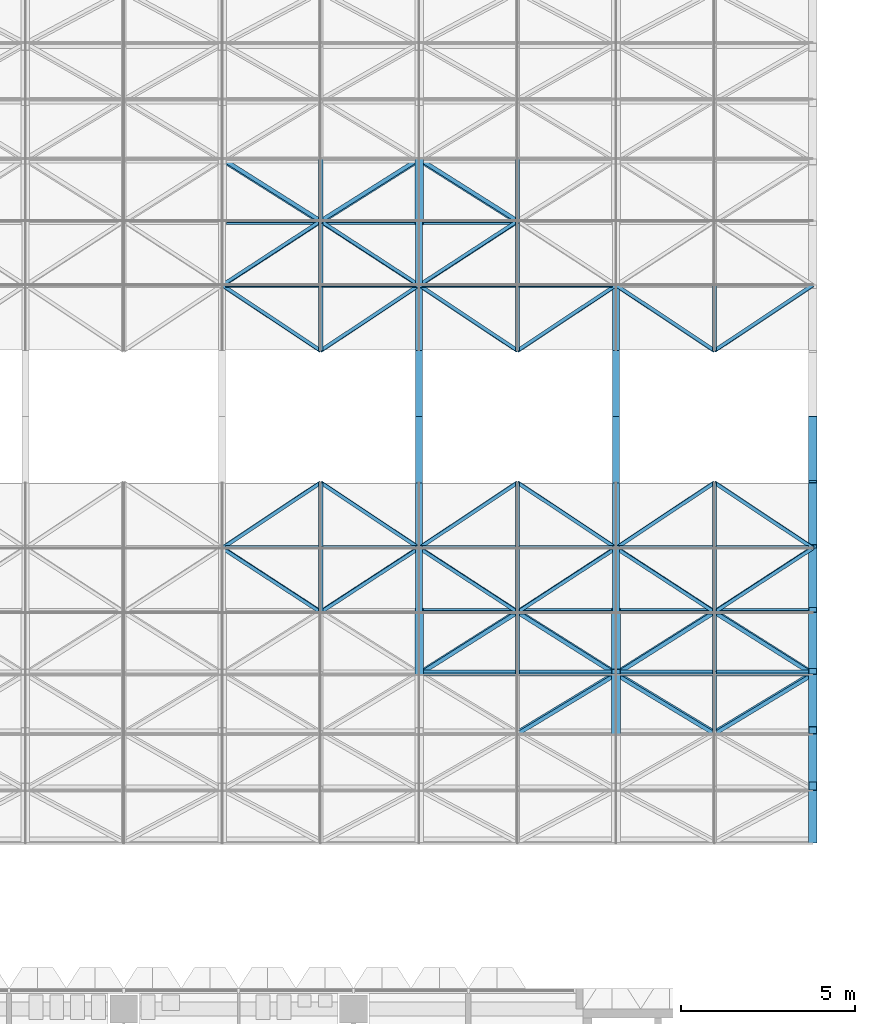
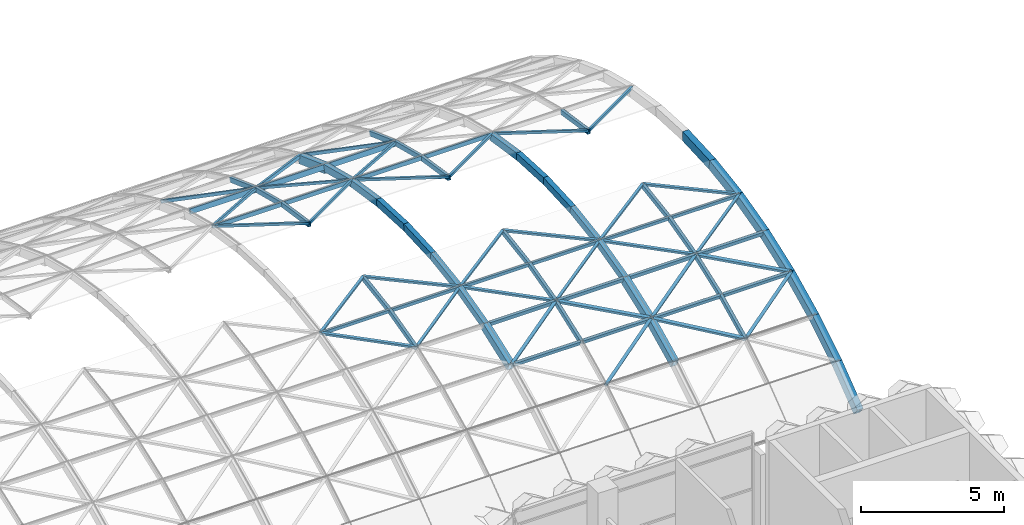
# One storey, part 16 of 85: 90 members.
"""IFC4 building model written with IfcOpenShell, lengths in metres."""

from ifc_helpers import new_model, si_unit, direction, frame, origin, origin_2d, place, context, subcontext, project, spatial, hollow_rectangle, extrude, material, material_profile, profile_set, type_object, element, save


model = new_model("IFC4")

# Units and contexts
model_context = context("Model", 3, precision=1e-05, world=origin(), true_north=direction((0.0, 1.0)))
body_context = subcontext(model_context, "Body", "Model", "MODEL_VIEW")
ifc_project = project(units=[si_unit("LENGTHUNIT", "METRE"), si_unit("AREAUNIT", "SQUARE_METRE"), si_unit("VOLUMEUNIT", "CUBIC_METRE"), si_unit("PLANEANGLEUNIT", "RADIAN"), si_unit("MASSUNIT", "GRAM", prefix="KILO")], contexts=[model_context])

# Site, building, storey
site_placement = place(None, origin())
site = spatial("IfcSite", under=ifc_project, at=site_placement, CompositionType="ELEMENT")
building_placement = place(site_placement, origin())
building = spatial("IfcBuilding", under=site, at=building_placement, Name="Lantern Court Research Institute", CompositionType="ELEMENT")
storey_placement = place(building_placement, frame((0.0, 0.0, 18.89990234375)))
storey = spatial("IfcBuildingStorey", under=building, at=storey_placement, Name="L04", CompositionType="ELEMENT", Elevation=18.89990234375)

# Members
ifc_material_1 = material(Name="Structural steel S355", Category="steel")
ifc_material_profile_1 = material_profile(ifc_material_1, hollow_rectangle(XDim=0.25, YDim=0.39990234375, WallThickness=0.01611328125, at=origin_2d()), Name="Gable arch RHS 400 x 250 x 16")
ifc_profile_set_1 = profile_set([ifc_material_profile_1], Name="Structural steel S355")
member_type_1 = type_object("IfcMemberType", Name="Gable arch RHS 400 x 250 x 16", PredefinedType="RAFTER", material=ifc_profile_set_1)
member_1_placement = place(storey_placement, frame((79.199951171875, 28.000244140625, 0.037109375), z_axis=(0.0, 0.793329505358, 0.608792490039), x_axis=(-1.0, 0.0, 0.0)))
element("IfcMember", 1, at=member_1_placement, inside=storey, type_object=member_type_1, Name="Gable arch", PredefinedType="RAFTER", context=body_context, shape_type="SweptSolid", body=[
    extrude(hollow_rectangle(XDim=0.25, YDim=0.39990234375, WallThickness=0.01611328125, at=origin_2d()), origin(), (0.0, 0.0, 1.0), 1.90234375),
])
member_2_placement = place(storey_placement, frame((79.199951171875, 29.492919921875, 1.183837890625), z_axis=(0.0, 0.850497510265, 0.525979072809), x_axis=(-1.0, 0.0, 0.0)))
element("IfcMember", 2, at=member_2_placement, inside=storey, type_object=member_type_1, Name="Gable arch", PredefinedType="RAFTER", context=body_context, shape_type="SweptSolid", body=[
    extrude(hollow_rectangle(XDim=0.25, YDim=0.39990234375, WallThickness=0.01611328125, at=origin_2d()), origin(), (0.0, 0.0, 1.0), 1.902587890625),
])
member_3_placement = place(storey_placement, frame((79.199951171875, 31.09326171875, 2.1748046875), z_axis=(0.0, 0.899099966644, 0.437743360865), x_axis=(-1.0, 0.0, 0.0)))
element("IfcMember", 3, at=member_3_placement, inside=storey, type_object=member_type_1, Name="Gable arch", PredefinedType="RAFTER", context=body_context, shape_type="SweptSolid", body=[
    extrude(hollow_rectangle(XDim=0.25, YDim=0.39990234375, WallThickness=0.01611328125, at=origin_2d()), origin(), (0.0, 0.0, 1.0), 1.90234375),
])
for number, where, z_axis, x_axis, name in (
    (4, (79.199951171875, 32.78515625, 2.999755859375), (0.0, 0.938535764551, 0.345182008018), (-1.0, 0.0, 0.0), "Gable arch"),
    (5, (79.199951171875, 34.551513671875, 3.650390625), (0.0, 0.968482319701, 0.249082308538), (-1.0, 0.0, 0.0), "Gable arch"),
    (6, (79.199951171875, 36.374267578125, 4.120361328125), (0.0, 0.988606386846, 0.150523791767), (-1.0, 0.0, 0.0), "Gable arch"),
):
    element("IfcMember", number, at=place(storey_placement, frame(where, z_axis=z_axis, x_axis=x_axis)), inside=storey, type_object=member_type_1, Name=name, PredefinedType="RAFTER", context=body_context, shape_type="SweptSolid", body=[
        extrude(hollow_rectangle(XDim=0.25, YDim=0.39990234375, WallThickness=0.01611328125, at=origin_2d()), origin(), (0.0, 0.0, 1.0), 1.902587890625),
    ])
member_4_placement = place(storey_placement, frame((79.199951171875, 38.235107421875, 4.404541015625), z_axis=(0.0, 0.998733707136, 0.050308868311), x_axis=(-1.0, 0.0, 0.0)))
element("IfcMember", 7, at=member_4_placement, inside=storey, type_object=member_type_1, Name="Gable arch", PredefinedType="RAFTER", context=body_context, shape_type="SweptSolid", body=[
    extrude(hollow_rectangle(XDim=0.25, YDim=0.39990234375, WallThickness=0.01611328125, at=origin_2d()), origin(), (0.0, 0.0, 1.0), 1.90234375),
])
ifc_material_2 = material(Name="Structural steel S355", Category="steel")
ifc_material_profile_2 = material_profile(ifc_material_2, hollow_rectangle(XDim=0.080078125, YDim=0.159912109375, WallThickness=0.00634765625, at=origin_2d()), Name="Gridshell crown purlin RHS 160 x 80 x 6.3")
ifc_profile_set_2 = profile_set([ifc_material_profile_2], Name="Structural steel S355")
member_type_2 = type_object("IfcMemberType", Name="Gridshell crown purlin RHS 160 x 80 x 6.3", PredefinedType="PURLIN", material=ifc_profile_set_2)
for number, where, z_axis, x_axis, name in (
    (8, (62.32861328125, 36.360107421875, 4.23974609375), (1.0, 0.0, 0.0), (0.0, 0.979787176632, 0.200042716708), "Gridshell purlin"),
    (9, (65.1171875, 36.360107421875, 4.23974609375), (1.0, 0.0, 0.0), (0.0, 0.979787176632, 0.200042716708), "Gridshell purlin"),
):
    element("IfcMember", number, at=place(storey_placement, frame(where, z_axis=z_axis, x_axis=x_axis)), inside=storey, type_object=member_type_2, Name=name, PredefinedType="PURLIN", context=body_context, shape_type="SweptSolid", body=[
        extrude(hollow_rectangle(XDim=0.080078125, YDim=0.159912109375, WallThickness=0.00634765625, at=origin_2d()), origin(), (0.0, 0.0, 1.0), 2.66845703125),
    ])
for number, where, z_axis, x_axis, name in (
    (10, (67.985595703125, 36.360107421875, 4.23974609375), (1.0, 0.0, 0.0), (0.0, 0.979787176632, 0.200042716708), "Gridshell purlin"),
    (11, (70.774169921875, 36.360107421875, 4.23974609375), (1.0, 0.0, 0.0), (0.0, 0.979787176632, 0.200042716708), "Gridshell purlin"),
    (12, (73.642822265625, 36.360107421875, 4.23974609375), (1.0, 0.0, 0.0), (0.0, 0.979787176632, 0.200042716708), "Gridshell purlin"),
):
    element("IfcMember", number, at=place(storey_placement, frame(where, z_axis=z_axis, x_axis=x_axis)), inside=storey, type_object=member_type_2, Name=name, PredefinedType="PURLIN", context=body_context, shape_type="SweptSolid", body=[
        extrude(hollow_rectangle(XDim=0.080078125, YDim=0.159912109375, WallThickness=0.00634765625, at=origin_2d()), origin(), (0.0, 0.0, 1.0), 2.668701171875),
    ])
member_5_placement = place(storey_placement, frame((76.431396484375, 36.360107421875, 4.23974609375), z_axis=(1.0, 0.0, 0.0), x_axis=(0.0, 0.979787176632, 0.200042716708)))
element("IfcMember", 13, at=member_5_placement, inside=storey, type_object=member_type_2, Name="Gridshell purlin", PredefinedType="PURLIN", context=body_context, shape_type="SweptSolid", body=[
    extrude(hollow_rectangle(XDim=0.080078125, YDim=0.159912109375, WallThickness=0.00634765625, at=origin_2d()), origin(), (0.0, 0.0, 1.0), 2.6435546875),
])
for number, where, z_axis, x_axis, name in (
    (14, (62.32861328125, 43.889892578125, 4.23974609375), (1.0, 0.0, 0.0), (0.0, 0.979787176632, -0.200042716708), "Gridshell purlin"),
    (15, (65.1171875, 43.889892578125, 4.23974609375), (1.0, 0.0, 0.0), (0.0, 0.979787176632, -0.200042716708), "Gridshell purlin"),
):
    element("IfcMember", number, at=place(storey_placement, frame(where, z_axis=z_axis, x_axis=x_axis)), inside=storey, type_object=member_type_2, Name=name, PredefinedType="PURLIN", context=body_context, shape_type="SweptSolid", body=[
        extrude(hollow_rectangle(XDim=0.080078125, YDim=0.159912109375, WallThickness=0.00634765625, at=origin_2d()), origin(), (0.0, 0.0, 1.0), 2.66845703125),
    ])
for number, where, z_axis, x_axis, name in (
    (16, (67.985595703125, 43.889892578125, 4.23974609375), (1.0, 0.0, 0.0), (0.0, 0.979787176632, -0.200042716708), "Gridshell purlin"),
    (17, (70.774169921875, 43.889892578125, 4.23974609375), (1.0, 0.0, 0.0), (0.0, 0.979787176632, -0.200042716708), "Gridshell purlin"),
):
    element("IfcMember", number, at=place(storey_placement, frame(where, z_axis=z_axis, x_axis=x_axis)), inside=storey, type_object=member_type_2, Name=name, PredefinedType="PURLIN", context=body_context, shape_type="SweptSolid", body=[
        extrude(hollow_rectangle(XDim=0.080078125, YDim=0.159912109375, WallThickness=0.00634765625, at=origin_2d()), origin(), (0.0, 0.0, 1.0), 2.668701171875),
    ])
ifc_material_3 = material(Name="Structural steel S355", Category="steel")
ifc_material_profile_3 = material_profile(ifc_material_3, hollow_rectangle(XDim=0.199951171875, YDim=0.300048828125, WallThickness=0.012451171875, at=origin_2d()), Name="Gridshell crown rib RHS 300 x 200 x 12.5")
ifc_profile_set_3 = profile_set([ifc_material_profile_3], Name="Structural steel S355")
member_type_3 = type_object("IfcMemberType", Name="Gridshell crown rib RHS 300 x 200 x 12.5", PredefinedType="RAFTER", material=ifc_profile_set_3)
for number, where, z_axis, x_axis, name in (
    (18, (67.8857421875, 34.5390625, 3.698974609375), (0.0, 0.968482319701, 0.249082308538), (-1.0, 0.0, 0.0), "Gridshell rib"),
    (19, (67.8857421875, 36.36669921875, 4.169677734375), (0.0, 0.988606386846, 0.150523791767), (-1.0, 0.0, 0.0), "Gridshell rib"),
    (20, (67.8857421875, 38.232421875, 4.45458984375), (0.0, 0.998734031897, 0.050302420725), (-1.0, 0.0, 0.0), "Gridshell rib"),
    (21, (67.8857421875, 40.117431640625, 4.55029296875), (0.0, 0.998734031897, -0.050302420725), (-1.0, 0.0, 0.0), "Gridshell rib"),
    (22, (67.8857421875, 42.00244140625, 4.4560546875), (0.0, 0.988606386846, -0.150523791767), (-1.0, 0.0, 0.0), "Gridshell rib"),
    (23, (67.8857421875, 43.868408203125, 4.1728515625), (0.0, 0.968482319701, -0.249082308538), (-1.0, 0.0, 0.0), "Gridshell rib"),
    (24, (73.54296875, 34.5390625, 3.698974609375), (0.0, 0.968482319701, 0.249082308538), (-1.0, 0.0, 0.0), "Gridshell rib"),
    (25, (73.54296875, 36.36669921875, 4.169677734375), (0.0, 0.988606386846, 0.150523791767), (-1.0, 0.0, 0.0), "Gridshell rib"),
    (26, (73.54296875, 38.232421875, 4.45458984375), (0.0, 0.998734031897, 0.050302420725), (-1.0, 0.0, 0.0), "Gridshell rib"),
    (27, (73.54296875, 40.117431640625, 4.55029296875), (0.0, 0.998734031897, -0.050302420725), (-1.0, 0.0, 0.0), "Gridshell rib"),
    (28, (73.54296875, 42.00244140625, 4.4560546875), (0.0, 0.988606386846, -0.150523791767), (-1.0, 0.0, 0.0), "Gridshell rib"),
):
    element("IfcMember", number, at=place(storey_placement, frame(where, z_axis=z_axis, x_axis=x_axis)), inside=storey, type_object=member_type_3, Name=name, PredefinedType="RAFTER", context=body_context, shape_type="SweptSolid", body=[
        extrude(hollow_rectangle(XDim=0.199951171875, YDim=0.300048828125, WallThickness=0.012451171875, at=origin_2d()), origin(), (0.0, 0.0, 1.0), 1.902587890625),
    ])
ifc_material_4 = material(Name="Structural steel S355", Category="steel")
ifc_material_profile_4 = material_profile(ifc_material_4, hollow_rectangle(XDim=0.10009765625, YDim=0.10009765625, WallThickness=0.00634765625, at=origin_2d()), Name="Gridshell diagonal RHS 100 x 100 x 6.3")
ifc_profile_set_4 = profile_set([ifc_material_profile_4], Name="Structural steel S355")
member_type_4 = type_object("IfcMemberType", Name="Gridshell diagonal RHS 100 x 100 x 6.3", PredefinedType="BRACE", material=ifc_profile_set_4)
member_6_placement = place(storey_placement, frame((65.05712890625, 34.51416015625, 3.795654296875), z_axis=(-0.829775619624, 0.540507215717, 0.139012124779), x_axis=(-0.558097142967, -0.803618783295, -0.206698887629)))
element("IfcMember", 29, at=member_6_placement, inside=storey, type_object=member_type_4, Name="Gridshell diagonal", PredefinedType="BRACE", context=body_context, shape_type="SweptSolid", body=[
    extrude(hollow_rectangle(XDim=0.10009765625, YDim=0.10009765625, WallThickness=0.00634765625, at=origin_2d()), origin(), (0.0, 0.0, 1.0), 3.408935546875),
])
for number, where, z_axis, x_axis, name in (
    (30, (62.228515625, 36.351806640625, 4.2685546875), (0.82980233239, 0.551697511341, 0.084011577412), (-0.558057423637, 0.82035435083, 0.124862528398), "Gridshell diagonal"),
    (31, (65.05712890625, 42.017578125, 4.554931640625), (-0.82980233239, 0.551697511341, -0.084011577412), (-0.558057423637, -0.82035435083, 0.124862528398), "Gridshell diagonal"),
):
    element("IfcMember", number, at=place(storey_placement, frame(where, z_axis=z_axis, x_axis=x_axis)), inside=storey, type_object=member_type_4, Name=name, PredefinedType="BRACE", context=body_context, shape_type="SweptSolid", body=[
        extrude(hollow_rectangle(XDim=0.10009765625, YDim=0.10009765625, WallThickness=0.00634765625, at=origin_2d()), origin(), (0.0, 0.0, 1.0), 3.40869140625),
    ])
for number, where, z_axis, x_axis, name in (
    (32, (62.228515625, 43.893310546875, 4.26953125), (0.829775619624, 0.540507215717, -0.139012124779), (-0.558097142967, 0.803618783295, -0.206698887629), "Gridshell diagonal"),
    (33, (65.05712890625, 34.51416015625, 3.795654296875), (0.829775619624, 0.540507215717, 0.139012124779), (-0.558097142967, 0.803618783295, 0.206698887629), "Gridshell diagonal"),
):
    element("IfcMember", number, at=place(storey_placement, frame(where, z_axis=z_axis, x_axis=x_axis)), inside=storey, type_object=member_type_4, Name=name, PredefinedType="BRACE", context=body_context, shape_type="SweptSolid", body=[
        extrude(hollow_rectangle(XDim=0.10009765625, YDim=0.10009765625, WallThickness=0.00634765625, at=origin_2d()), origin(), (0.0, 0.0, 1.0), 3.408935546875),
    ])
for number, where, z_axis, x_axis, name in (
    (34, (67.8857421875, 36.351806640625, 4.2685546875), (-0.82980233239, 0.551697511341, 0.084011577412), (-0.558057423637, -0.82035435083, -0.124862528398), "Gridshell diagonal"),
    (35, (65.05712890625, 42.017578125, 4.554931640625), (0.82980233239, 0.551697511341, -0.084011577412), (-0.558057423637, 0.82035435083, -0.124862528398), "Gridshell diagonal"),
):
    element("IfcMember", number, at=place(storey_placement, frame(where, z_axis=z_axis, x_axis=x_axis)), inside=storey, type_object=member_type_4, Name=name, PredefinedType="BRACE", context=body_context, shape_type="SweptSolid", body=[
        extrude(hollow_rectangle(XDim=0.10009765625, YDim=0.10009765625, WallThickness=0.00634765625, at=origin_2d()), origin(), (0.0, 0.0, 1.0), 3.40869140625),
    ])
for number, where, z_axis, x_axis, name in (
    (36, (67.8857421875, 43.893310546875, 4.26953125), (-0.829775619624, 0.540507215717, -0.139012124779), (-0.558097142967, -0.803618783295, 0.206698887629), "Gridshell diagonal"),
    (37, (70.71435546875, 34.51416015625, 3.795654296875), (-0.829775619624, 0.540507215717, 0.139012124779), (-0.558097142967, -0.803618783295, -0.206698887629), "Gridshell diagonal"),
):
    element("IfcMember", number, at=place(storey_placement, frame(where, z_axis=z_axis, x_axis=x_axis)), inside=storey, type_object=member_type_4, Name=name, PredefinedType="BRACE", context=body_context, shape_type="SweptSolid", body=[
        extrude(hollow_rectangle(XDim=0.10009765625, YDim=0.10009765625, WallThickness=0.00634765625, at=origin_2d()), origin(), (0.0, 0.0, 1.0), 3.408935546875),
    ])
for number, where, z_axis, x_axis, name in (
    (38, (67.8857421875, 36.351806640625, 4.2685546875), (0.82980233239, 0.551697511341, 0.084011577412), (-0.558057423637, 0.82035435083, 0.124862528398), "Gridshell diagonal"),
    (39, (70.71435546875, 42.017578125, 4.554931640625), (-0.82980233239, 0.551697511341, -0.084011577412), (-0.558057423637, -0.82035435083, 0.124862528398), "Gridshell diagonal"),
):
    element("IfcMember", number, at=place(storey_placement, frame(where, z_axis=z_axis, x_axis=x_axis)), inside=storey, type_object=member_type_4, Name=name, PredefinedType="BRACE", context=body_context, shape_type="SweptSolid", body=[
        extrude(hollow_rectangle(XDim=0.10009765625, YDim=0.10009765625, WallThickness=0.00634765625, at=origin_2d()), origin(), (0.0, 0.0, 1.0), 3.40869140625),
    ])
for number, where, z_axis, x_axis, name in (
    (40, (67.8857421875, 43.893310546875, 4.26953125), (0.829775619624, 0.540507215717, -0.139012124779), (-0.558097142967, 0.803618783295, -0.206698887629), "Gridshell diagonal"),
    (41, (70.71435546875, 34.51416015625, 3.795654296875), (0.829775619624, 0.540507215717, 0.139012124779), (-0.558097142967, 0.803618783295, 0.206698887629), "Gridshell diagonal"),
):
    element("IfcMember", number, at=place(storey_placement, frame(where, z_axis=z_axis, x_axis=x_axis)), inside=storey, type_object=member_type_4, Name=name, PredefinedType="BRACE", context=body_context, shape_type="SweptSolid", body=[
        extrude(hollow_rectangle(XDim=0.10009765625, YDim=0.10009765625, WallThickness=0.00634765625, at=origin_2d()), origin(), (0.0, 0.0, 1.0), 3.408935546875),
    ])
for number, where, z_axis, x_axis, name in (
    (42, (73.54296875, 36.351806640625, 4.2685546875), (-0.82980233239, 0.551697511341, 0.084011577412), (-0.558057423637, -0.82035435083, -0.124862528398), "Gridshell diagonal"),
    (43, (70.71435546875, 42.017578125, 4.554931640625), (0.82980233239, 0.551697511341, -0.084011577412), (-0.558057423637, 0.82035435083, -0.124862528398), "Gridshell diagonal"),
    (44, (76.371337890625, 34.51416015625, 3.795654296875), (-0.829753310349, 0.540539338213, 0.139020386309), (-0.558130310777, -0.803595810166, -0.20669864556), "Gridshell diagonal"),
    (45, (73.54296875, 36.351806640625, 4.2685546875), (0.829780025572, 0.551730300991, 0.084016570565), (-0.558090591389, 0.820331795055, 0.124862475647), "Gridshell diagonal"),
    (46, (76.371337890625, 42.017578125, 4.554931640625), (-0.829780025572, 0.551730300991, -0.084016570565), (-0.558090591389, -0.820331795055, 0.124862475647), "Gridshell diagonal"),
):
    element("IfcMember", number, at=place(storey_placement, frame(where, z_axis=z_axis, x_axis=x_axis)), inside=storey, type_object=member_type_4, Name=name, PredefinedType="BRACE", context=body_context, shape_type="SweptSolid", body=[
        extrude(hollow_rectangle(XDim=0.10009765625, YDim=0.10009765625, WallThickness=0.00634765625, at=origin_2d()), origin(), (0.0, 0.0, 1.0), 3.40869140625),
    ])
member_7_placement = place(storey_placement, frame((76.371337890625, 34.51416015625, 3.795654296875), z_axis=(0.829775619624, 0.540507215717, 0.139012124779), x_axis=(-0.558097142967, 0.803618783295, 0.206698887629)))
element("IfcMember", 47, at=member_7_placement, inside=storey, type_object=member_type_4, Name="Gridshell diagonal", PredefinedType="BRACE", context=body_context, shape_type="SweptSolid", body=[
    extrude(hollow_rectangle(XDim=0.10009765625, YDim=0.10009765625, WallThickness=0.00634765625, at=origin_2d()), origin(), (0.0, 0.0, 1.0), 3.408935546875),
])
for number, where, z_axis, x_axis, name in (
    (48, (79.199951171875, 36.351806640625, 4.2685546875), (-0.82980233239, 0.551697511341, 0.084011577412), (-0.558057423637, -0.82035435083, -0.124862528398), "Gridshell diagonal"),
    (49, (76.371337890625, 42.017578125, 4.554931640625), (0.82980233239, 0.551697511341, -0.084011577412), (-0.558057423637, 0.82035435083, -0.124862528398), "Gridshell diagonal"),
):
    element("IfcMember", number, at=place(storey_placement, frame(where, z_axis=z_axis, x_axis=x_axis)), inside=storey, type_object=member_type_4, Name=name, PredefinedType="BRACE", context=body_context, shape_type="SweptSolid", body=[
        extrude(hollow_rectangle(XDim=0.10009765625, YDim=0.10009765625, WallThickness=0.00634765625, at=origin_2d()), origin(), (0.0, 0.0, 1.0), 3.40869140625),
    ])
ifc_material_5 = material(Name="Structural steel S355", Category="steel")
ifc_material_profile_5 = material_profile(ifc_material_5, hollow_rectangle(XDim=0.1201171875, YDim=0.1201171875, WallThickness=0.008056640625, at=origin_2d()), Name="Gridshell haunch diagonal RHS 120 x 120 x 8")
ifc_profile_set_5 = profile_set([ifc_material_profile_5], Name="Structural steel S355")
member_type_5 = type_object("IfcMemberType", Name="Gridshell haunch diagonal RHS 120 x 120 x 8", PredefinedType="BRACE", material=ifc_profile_set_5)
for number, where, z_axis, x_axis, name in (
    (50, (65.05712890625, 45.7275390625, 3.787841796875), (-0.829762838758, 0.523811962945, -0.192651651671), (-0.558116144955, -0.778754373318, 0.286440211525), "Gridshell diagonal"),
    (51, (65.05712890625, 45.7275390625, 3.787841796875), (0.829762838758, 0.523811962945, -0.192651651671), (-0.558116144955, 0.778754373318, -0.286440211525), "Gridshell diagonal"),
    (52, (67.8857421875, 32.73681640625, 3.131103515625), (0.829762838758, 0.523811962945, 0.192651651671), (-0.558116144955, 0.778754373318, 0.286440211525), "Gridshell diagonal"),
    (53, (70.71435546875, 45.7275390625, 3.787841796875), (-0.829762838758, 0.523811962945, -0.192651651671), (-0.558116144955, -0.778754373318, 0.286440211525), "Gridshell diagonal"),
    (54, (70.71435546875, 31.031982421875, 2.300537109375), (0.829773300042, 0.501760032806, 0.244362722229), (-0.558100591295, 0.746025342522, 0.363276641571), "Gridshell diagonal"),
    (55, (73.54296875, 32.73681640625, 3.131103515625), (-0.829762838758, 0.523811962945, 0.192651651671), (-0.558116144955, -0.778754373318, -0.286440211525), "Gridshell diagonal"),
):
    element("IfcMember", number, at=place(storey_placement, frame(where, z_axis=z_axis, x_axis=x_axis)), inside=storey, type_object=member_type_5, Name=name, PredefinedType="BRACE", context=body_context, shape_type="SweptSolid", body=[
        extrude(hollow_rectangle(XDim=0.1201171875, YDim=0.1201171875, WallThickness=0.008056640625, at=origin_2d()), origin(), (0.0, 0.0, 1.0), 3.408935546875),
    ])
for number, where, z_axis, x_axis, name in (
    (56, (76.371337890625, 31.031982421875, 2.300537109375), (-0.829750990554, 0.50178985238, 0.244377244693), (-0.558133759376, -0.746001196046, -0.363275270481), "Gridshell diagonal"),
    (57, (73.54296875, 32.73681640625, 3.131103515625), (0.829740528308, 0.523843092278, 0.19266310066), (-0.558149312823, 0.778730842923, 0.28643955536), "Gridshell diagonal"),
):
    element("IfcMember", number, at=place(storey_placement, frame(where, z_axis=z_axis, x_axis=x_axis)), inside=storey, type_object=member_type_5, Name=name, PredefinedType="BRACE", context=body_context, shape_type="SweptSolid", body=[
        extrude(hollow_rectangle(XDim=0.1201171875, YDim=0.1201171875, WallThickness=0.008056640625, at=origin_2d()), origin(), (0.0, 0.0, 1.0), 3.40869140625),
    ])
for number, where, z_axis, x_axis, name in (
    (58, (76.371337890625, 31.031982421875, 2.300537109375), (0.829773300042, 0.501760032806, 0.244362722229), (-0.558100591295, 0.746025342522, 0.363276641571), "Gridshell diagonal"),
    (59, (79.199951171875, 32.73681640625, 3.131103515625), (-0.829762838758, 0.523811962945, 0.192651651671), (-0.558116144955, -0.778754373318, -0.286440211525), "Gridshell diagonal"),
):
    element("IfcMember", number, at=place(storey_placement, frame(where, z_axis=z_axis, x_axis=x_axis)), inside=storey, type_object=member_type_5, Name=name, PredefinedType="BRACE", context=body_context, shape_type="SweptSolid", body=[
        extrude(hollow_rectangle(XDim=0.1201171875, YDim=0.1201171875, WallThickness=0.008056640625, at=origin_2d()), origin(), (0.0, 0.0, 1.0), 3.408935546875),
    ])
ifc_material_6 = material(Name="Structural steel S355", Category="steel")
ifc_material_profile_6 = material_profile(ifc_material_6, hollow_rectangle(XDim=0.25, YDim=0.35009765625, WallThickness=0.01611328125, at=origin_2d()), Name="Gridshell haunch rib RHS 350 x 250 x 16")
ifc_profile_set_6 = profile_set([ifc_material_profile_6], Name="Structural steel S355")
member_type_6 = type_object("IfcMemberType", Name="Gridshell haunch rib RHS 350 x 250 x 16", PredefinedType="RAFTER", material=ifc_profile_set_6)
for number, where, z_axis, x_axis, name in (
    (60, (67.8857421875, 32.776611328125, 3.023193359375), (0.0, 0.938520472327, 0.345223584105), (-1.0, 0.0, 0.0), "Gridshell rib"),
    (61, (67.8857421875, 45.68798828125, 3.679931640625), (0.0, 0.938520472327, -0.345223584105), (-1.0, 0.0, 0.0), "Gridshell rib"),
    (62, (73.54296875, 31.082275390625, 2.197265625), (0.0, 0.899099966644, 0.437743360865), (-1.0, 0.0, 0.0), "Gridshell rib"),
    (63, (73.54296875, 32.776611328125, 3.023193359375), (0.0, 0.938520472327, 0.345223584105), (-1.0, 0.0, 0.0), "Gridshell rib"),
):
    element("IfcMember", number, at=place(storey_placement, frame(where, z_axis=z_axis, x_axis=x_axis)), inside=storey, type_object=member_type_6, Name=name, PredefinedType="RAFTER", context=body_context, shape_type="SweptSolid", body=[
        extrude(hollow_rectangle(XDim=0.25, YDim=0.35009765625, WallThickness=0.01611328125, at=origin_2d()), origin(), (0.0, 0.0, 1.0), 1.90234375),
    ])
ifc_material_7 = material(Name="Structural steel S355", Category="steel")
ifc_material_profile_7 = material_profile(ifc_material_7, hollow_rectangle(XDim=0.10009765625, YDim=0.199951171875, WallThickness=0.008056640625, at=origin_2d()), Name="Gridshell purlin RHS 200 x 100 x 8")
ifc_profile_set_7 = profile_set([ifc_material_profile_7], Name="Structural steel S355")
member_type_7 = type_object("IfcMemberType", Name="Gridshell purlin RHS 200 x 100 x 8", PredefinedType="PURLIN", material=ifc_profile_set_7)
member_8_placement = place(storey_placement, frame((68.0107421875, 32.75537109375, 3.095458984375), z_axis=(1.0, 0.0, 0.0), x_axis=(0.0, 0.919965822984, 0.391998577219)))
element("IfcMember", 64, at=member_8_placement, inside=storey, type_object=member_type_7, Name="Gridshell purlin", PredefinedType="PURLIN", context=body_context, shape_type="SweptSolid", body=[
    extrude(hollow_rectangle(XDim=0.10009765625, YDim=0.199951171875, WallThickness=0.008056640625, at=origin_2d()), origin(), (0.0, 0.0, 1.0), 2.6435546875),
])
member_9_placement = place(storey_placement, frame((70.774169921875, 32.75537109375, 3.095458984375), z_axis=(1.0, 0.0, 0.0), x_axis=(0.0, 0.919965822984, 0.391998577219)))
element("IfcMember", 65, at=member_9_placement, inside=storey, type_object=member_type_7, Name="Gridshell purlin", PredefinedType="PURLIN", context=body_context, shape_type="SweptSolid", body=[
    extrude(hollow_rectangle(XDim=0.10009765625, YDim=0.199951171875, WallThickness=0.008056640625, at=origin_2d()), origin(), (0.0, 0.0, 1.0), 2.643798828125),
])
for number, where, z_axis, x_axis, name in (
    (66, (73.66796875, 32.75537109375, 3.095458984375), (1.0, 0.0, 0.0), (0.0, 0.919965822984, 0.391998577219), "Gridshell purlin"),
    (67, (76.431396484375, 32.75537109375, 3.095458984375), (1.0, 0.0, 0.0), (0.0, 0.919965822984, 0.391998577219), "Gridshell purlin"),
    (68, (68.0107421875, 34.531494140625, 3.748779296875), (1.0, 0.0, 0.0), (0.0, 0.954713115517, 0.29752792652), "Gridshell purlin"),
):
    element("IfcMember", number, at=place(storey_placement, frame(where, z_axis=z_axis, x_axis=x_axis)), inside=storey, type_object=member_type_7, Name=name, PredefinedType="PURLIN", context=body_context, shape_type="SweptSolid", body=[
        extrude(hollow_rectangle(XDim=0.10009765625, YDim=0.199951171875, WallThickness=0.008056640625, at=origin_2d()), origin(), (0.0, 0.0, 1.0), 2.6435546875),
    ])
member_10_placement = place(storey_placement, frame((70.774169921875, 34.531494140625, 3.748779296875), z_axis=(1.0, 0.0, 0.0), x_axis=(0.0, 0.954713115517, 0.29752792652)))
element("IfcMember", 69, at=member_10_placement, inside=storey, type_object=member_type_7, Name="Gridshell purlin", PredefinedType="PURLIN", context=body_context, shape_type="SweptSolid", body=[
    extrude(hollow_rectangle(XDim=0.10009765625, YDim=0.199951171875, WallThickness=0.008056640625, at=origin_2d()), origin(), (0.0, 0.0, 1.0), 2.643798828125),
])
for number, where, z_axis, x_axis, name in (
    (70, (73.66796875, 34.531494140625, 3.748779296875), (1.0, 0.0, 0.0), (0.0, 0.954713115517, 0.29752792652), "Gridshell purlin"),
    (71, (76.431396484375, 34.531494140625, 3.748779296875), (1.0, 0.0, 0.0), (0.0, 0.954713115517, 0.29752792652), "Gridshell purlin"),
    (72, (62.353515625, 45.718505859375, 3.748779296875), (1.0, 0.0, 0.0), (0.0, 0.954713115517, -0.29752792652), "Gridshell purlin"),
    (73, (65.1171875, 45.718505859375, 3.748779296875), (1.0, 0.0, 0.0), (0.0, 0.954713115517, -0.29752792652), "Gridshell purlin"),
    (74, (68.0107421875, 45.718505859375, 3.748779296875), (1.0, 0.0, 0.0), (0.0, 0.954713115517, -0.29752792652), "Gridshell purlin"),
):
    element("IfcMember", number, at=place(storey_placement, frame(where, z_axis=z_axis, x_axis=x_axis)), inside=storey, type_object=member_type_7, Name=name, PredefinedType="PURLIN", context=body_context, shape_type="SweptSolid", body=[
        extrude(hollow_rectangle(XDim=0.10009765625, YDim=0.199951171875, WallThickness=0.008056640625, at=origin_2d()), origin(), (0.0, 0.0, 1.0), 2.6435546875),
    ])
ifc_material_8 = material(Name="Structural steel S355", Category="steel")
ifc_material_profile_8 = material_profile(ifc_material_8, hollow_rectangle(XDim=0.1201171875, YDim=0.199951171875, WallThickness=0.008056640625, at=origin_2d()), Name="Gridshell secondary rib RHS 200 x 120 x 8")
ifc_profile_set_8 = profile_set([ifc_material_profile_8], Name="Structural steel S355")
member_type_8 = type_object("IfcMemberType", Name="Gridshell secondary rib RHS 200 x 120 x 8", PredefinedType="RAFTER", material=ifc_profile_set_8)
for number, where, z_axis, x_axis, name in (
    (75, (65.05712890625, 34.526611328125, 3.747314453125), (0.0, 0.968482319701, 0.249082308538), (-1.0, 0.0, 0.0), "Gridshell secondary rib"),
    (76, (65.05712890625, 36.359130859375, 4.21923828125), (0.0, 0.988625474964, 0.15039837184), (-1.0, 0.0, 0.0), "Gridshell secondary rib"),
    (77, (65.05712890625, 42.010009765625, 4.50537109375), (0.0, 0.988625474964, -0.15039837184), (-1.0, 0.0, 0.0), "Gridshell secondary rib"),
    (78, (65.05712890625, 43.880859375, 4.22119140625), (0.0, 0.968482319701, -0.249082308538), (-1.0, 0.0, 0.0), "Gridshell secondary rib"),
):
    element("IfcMember", number, at=place(storey_placement, frame(where, z_axis=z_axis, x_axis=x_axis)), inside=storey, type_object=member_type_8, Name=name, PredefinedType="RAFTER", context=body_context, shape_type="SweptSolid", body=[
        extrude(hollow_rectangle(XDim=0.1201171875, YDim=0.199951171875, WallThickness=0.008056640625, at=origin_2d()), origin(), (0.0, 0.0, 1.0), 1.902587890625),
    ])
for number, where, z_axis, x_axis, name in (
    (79, (65.05712890625, 45.7138671875, 3.750244140625), (0.0, 0.938520472327, -0.345223584105), (-1.0, 0.0, 0.0), "Gridshell secondary rib"),
    (80, (70.71435546875, 32.750732421875, 3.093505859375), (0.0, 0.938520472327, 0.345223584105), (-1.0, 0.0, 0.0), "Gridshell secondary rib"),
):
    element("IfcMember", number, at=place(storey_placement, frame(where, z_axis=z_axis, x_axis=x_axis)), inside=storey, type_object=member_type_8, Name=name, PredefinedType="RAFTER", context=body_context, shape_type="SweptSolid", body=[
        extrude(hollow_rectangle(XDim=0.1201171875, YDim=0.199951171875, WallThickness=0.008056640625, at=origin_2d()), origin(), (0.0, 0.0, 1.0), 1.90234375),
    ])
for number, where, z_axis, x_axis, name in (
    (81, (70.71435546875, 34.526611328125, 3.747314453125), (0.0, 0.968482319701, 0.249082308538), (-1.0, 0.0, 0.0), "Gridshell secondary rib"),
    (82, (70.71435546875, 36.359130859375, 4.21923828125), (0.0, 0.988625474964, 0.15039837184), (-1.0, 0.0, 0.0), "Gridshell secondary rib"),
    (83, (70.71435546875, 42.010009765625, 4.50537109375), (0.0, 0.988625474964, -0.15039837184), (-1.0, 0.0, 0.0), "Gridshell secondary rib"),
    (84, (70.71435546875, 43.880859375, 4.22119140625), (0.0, 0.968482319701, -0.249082308538), (-1.0, 0.0, 0.0), "Gridshell secondary rib"),
):
    element("IfcMember", number, at=place(storey_placement, frame(where, z_axis=z_axis, x_axis=x_axis)), inside=storey, type_object=member_type_8, Name=name, PredefinedType="RAFTER", context=body_context, shape_type="SweptSolid", body=[
        extrude(hollow_rectangle(XDim=0.1201171875, YDim=0.199951171875, WallThickness=0.008056640625, at=origin_2d()), origin(), (0.0, 0.0, 1.0), 1.902587890625),
    ])
member_11_placement = place(storey_placement, frame((70.71435546875, 45.7138671875, 3.750244140625), z_axis=(0.0, 0.938520472327, -0.345223584105), x_axis=(-1.0, 0.0, 0.0)))
element("IfcMember", 85, at=member_11_placement, inside=storey, type_object=member_type_8, Name="Gridshell secondary rib", PredefinedType="RAFTER", context=body_context, shape_type="SweptSolid", body=[
    extrude(hollow_rectangle(XDim=0.1201171875, YDim=0.199951171875, WallThickness=0.008056640625, at=origin_2d()), origin(), (0.0, 0.0, 1.0), 1.90234375),
])
member_12_placement = place(storey_placement, frame((76.371337890625, 31.049560546875, 2.2646484375), z_axis=(0.0, 0.899049454889, 0.437847093931), x_axis=(-1.0, 0.0, 0.0)))
element("IfcMember", 86, at=member_12_placement, inside=storey, type_object=member_type_8, Name="Gridshell secondary rib", PredefinedType="RAFTER", context=body_context, shape_type="SweptSolid", body=[
    extrude(hollow_rectangle(XDim=0.1201171875, YDim=0.199951171875, WallThickness=0.008056640625, at=origin_2d()), origin(), (0.0, 0.0, 1.0), 1.902587890625),
])
member_13_placement = place(storey_placement, frame((76.371337890625, 32.750732421875, 3.093505859375), z_axis=(0.0, 0.938520472327, 0.345223584105), x_axis=(-1.0, 0.0, 0.0)))
element("IfcMember", 87, at=member_13_placement, inside=storey, type_object=member_type_8, Name="Gridshell secondary rib", PredefinedType="RAFTER", context=body_context, shape_type="SweptSolid", body=[
    extrude(hollow_rectangle(XDim=0.1201171875, YDim=0.199951171875, WallThickness=0.008056640625, at=origin_2d()), origin(), (0.0, 0.0, 1.0), 1.90234375),
])
for number, where, z_axis, x_axis, name in (
    (88, (76.371337890625, 34.526611328125, 3.747314453125), (0.0, 0.968482319701, 0.249082308538), (-1.0, 0.0, 0.0), "Gridshell secondary rib"),
    (89, (76.371337890625, 36.359130859375, 4.21923828125), (0.0, 0.988625474964, 0.15039837184), (-1.0, 0.0, 0.0), "Gridshell secondary rib"),
    (90, (76.371337890625, 42.010009765625, 4.50537109375), (0.0, 0.988625474964, -0.15039837184), (-1.0, 0.0, 0.0), "Gridshell secondary rib"),
):
    element("IfcMember", number, at=place(storey_placement, frame(where, z_axis=z_axis, x_axis=x_axis)), inside=storey, type_object=member_type_8, Name=name, PredefinedType="RAFTER", context=body_context, shape_type="SweptSolid", body=[
        extrude(hollow_rectangle(XDim=0.1201171875, YDim=0.199951171875, WallThickness=0.008056640625, at=origin_2d()), origin(), (0.0, 0.0, 1.0), 1.902587890625),
    ])

save(model, "model.ifc")
